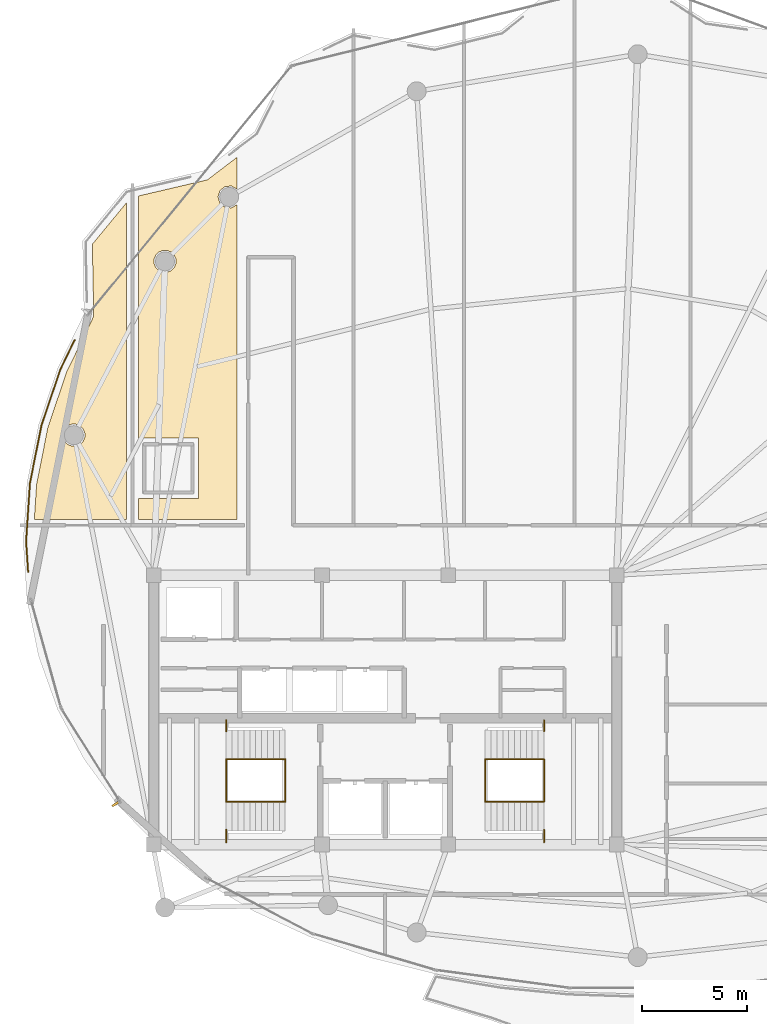
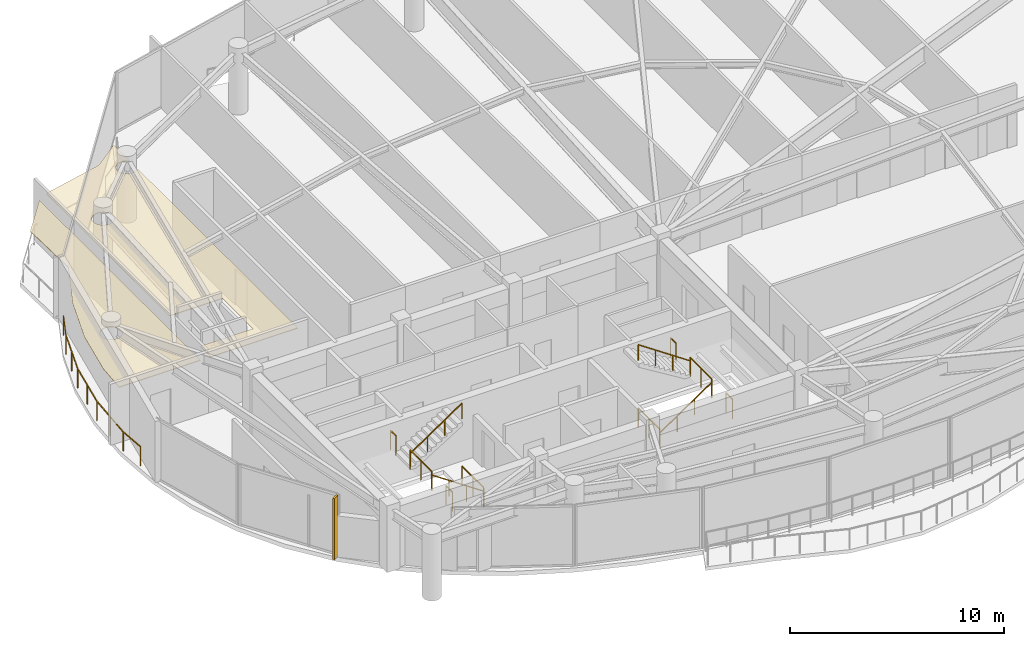
# One storey, part 27 of 29: 13 railings, 2 coverings, 1 shading device.
"""IFC4 building model written with IfcOpenShell, lengths in metres."""

from ifc_helpers import new_model, si_unit, direction, frame, origin, origin_2d, place, context, subcontext, project, spatial, polyline, rectangle, outline, extrude, material, layer, layer_set, type_object, element, save


model = new_model("IFC4")

# Units and contexts
model_context = context("Model", 3, precision=1e-05, world=origin(), true_north=direction((0.0, 1.0)))
body_context = subcontext(model_context, "Body", "Model", "MODEL_VIEW")
ifc_project = project(units=[si_unit("LENGTHUNIT", "METRE"), si_unit("AREAUNIT", "SQUARE_METRE"), si_unit("VOLUMEUNIT", "CUBIC_METRE"), si_unit("PLANEANGLEUNIT", "RADIAN"), si_unit("MASSUNIT", "GRAM", prefix="KILO")], contexts=[model_context])

# Site, building, storey
site_placement = place(None, origin())
site = spatial("IfcSite", under=ifc_project, at=site_placement, CompositionType="ELEMENT")
building_placement = place(site_placement, origin())
building = spatial("IfcBuilding", under=site, at=building_placement, Name="Kazevale Care Tower and Concert Hall", CompositionType="ELEMENT")
storey_placement = place(building_placement, frame((0.0, 0.0, 289.0)))
storey = spatial("IfcBuildingStorey", under=building, at=storey_placement, Name="L76", CompositionType="ELEMENT", Elevation=289.0)

# Coverings
ifc_material_1 = material(Name="Acoustic Plaster and Hinoki Wood", Category="wood")
ifc_layer = layer(ifc_material_1, 0.0400390625)
ifc_layer_set = layer_set([ifc_layer], Name="Acoustic Plaster and Hinoki Wood")
covering_type = type_object("IfcCoveringType", Name="Acoustic Perforated Wood-Gypsum Ceiling", PredefinedType="CEILING", material=ifc_layer_set)
covering_1_placement = place(storey_placement, frame((0.0, 0.0, 2.830078125)))
element("IfcCovering", 1, at=covering_1_placement, inside=storey, type_object=covering_type, Name="clg:L76:1", PredefinedType="CEILING", context=body_context, shape_type="SweptSolid", body=[
    extrude(outline(polyline([(16.97705078125, 43.422119140625), (17.864990234375, 46.049072265625), (19.154052734375, 48.701904296875), (19.087890625, 52.1240234375), (20.719970703125, 54.10693359375), (20.719970703125, 39.054931640625), (16.330078125, 39.054931640625), (16.44091796875, 40.72802734375), (16.97705078125, 43.422119140625)]), holes=[polyline([(18.72998046875, 43.153076171875), (18.65087890625, 43.343994140625), (18.50390625, 43.490966796875), (18.31298828125, 43.570068359375), (18.10693359375, 43.570068359375), (17.916015625, 43.490966796875), (17.76904296875, 43.343994140625), (17.68994140625, 43.153076171875), (17.68994140625, 42.947021484375), (17.76904296875, 42.756103515625), (17.916015625, 42.60888671875), (18.10693359375, 42.530029296875), (18.31298828125, 42.530029296875), (18.50390625, 42.60888671875), (18.65087890625, 42.756103515625), (18.72998046875, 42.947021484375), (18.72998046875, 43.153076171875)])]), origin(), (0.0, 0.0, 1.0), 0.0400390625),
])
covering_2_placement = place(storey_placement, frame((0.0, 0.0, 2.830078125)))
element("IfcCovering", 2, at=covering_2_placement, inside=storey, type_object=covering_type, Name="clg:L76:2", PredefinedType="CEILING", context=body_context, shape_type="SweptSolid", body=[
    extrude(outline(polyline([(24.1298828125, 42.905029296875), (21.280029296875, 42.905029296875), (21.280029296875, 54.4169921875), (24.552978515625, 55.180908203125), (25.969970703125, 56.260986328125), (25.969970703125, 54.738037109375), (25.693115234375, 54.889892578125), (25.386962890625, 54.860107421875), (25.14892578125, 54.6640625), (25.06005859375, 54.3701171875), (25.14892578125, 54.075927734375), (25.386962890625, 53.8798828125), (25.693115234375, 53.85009765625), (25.969970703125, 54.001953125), (25.969970703125, 39.054931640625), (21.280029296875, 39.054931640625), (21.280029296875, 40.044921875), (24.1298828125, 40.044921875), (24.1298828125, 42.905029296875)]), holes=[polyline([(23.06005859375, 51.4130859375), (22.98095703125, 51.60400390625), (22.833984375, 51.7509765625), (22.64306640625, 51.830078125), (22.43701171875, 51.830078125), (22.24609375, 51.7509765625), (22.09912109375, 51.60400390625), (22.02001953125, 51.4130859375), (22.02001953125, 51.20703125), (22.09912109375, 51.01611328125), (22.24609375, 50.868896484375), (22.43701171875, 50.7900390625), (22.64306640625, 50.7900390625), (22.833984375, 50.868896484375), (22.98095703125, 51.01611328125), (23.06005859375, 51.20703125), (23.06005859375, 51.4130859375)])]), origin(), (0.0, 0.0, 1.0), 0.0400390625),
])

# Railings
ifc_material_2 = material(Name="Anodised Bronze Aluminium and Laminated Glass", Category="aluminium")
railing_type_1 = type_object("IfcRailingType", Name="Balcony and Terrace Balustrade 1120", PredefinedType="BALUSTRADE", material=ifc_material_2)
railing_1_placement = place(storey_placement, frame((16.035888671875, 36.556884765625, 0.0)))
element("IfcRailing", 3, at=railing_1_placement, inside=storey, type_object=railing_type_1, Name="rail:L76:perim:1", PredefinedType="BALUSTRADE", context=body_context, shape_type="SweptSolid", body=[
    extrude(rectangle(XDim=0.048095703125, YDim=0.048095703125, at=origin_2d()), frame((0.0, 0.0, 1.09619140625), z_axis=(-0.066339749167, 0.997797092439, 0.0), x_axis=(-0.997797092439, -0.066339749167, 0.0)), (0.0, 0.0, 1.0), 1.4462890625),
    extrude(rectangle(XDim=0.048095703125, YDim=0.048095703125, at=origin_2d()), frame((-0.095947265625, 1.443115234375, 1.09619140625), z_axis=(0.065958643417, 0.997822357616, 0.0), x_axis=(-0.997822357616, 0.065958643417, 0.0)), (0.0, 0.0, 1.0), 2.776123046875),
    extrude(rectangle(XDim=0.048095703125, YDim=0.048095703125, at=origin_2d()), frame((0.087158203125, 4.213134765625, 1.09619140625), z_axis=(0.195408959087, 0.980721845738, 0.0), x_axis=(-0.980721845738, 0.195408959087, 0.0)), (0.0, 0.0, 1.0), 2.78857421875),
    extrude(rectangle(XDim=0.048095703125, YDim=0.048095703125, at=origin_2d()), frame((0.632080078125, 6.947998046875, 1.09619140625), z_axis=(0.31989547797, 0.947452839552, 0.0), x_axis=(-0.947452839552, 0.31989547797, 0.0)), (0.0, 0.0, 1.0), 2.81396484375),
    extrude(rectangle(XDim=0.048095703125, YDim=0.048095703125, at=origin_2d()), frame((1.5322265625, 9.614013671875, 1.09619140625), z_axis=(0.436955052618, 0.899483341698, 0.0), x_axis=(-0.899483341698, 0.436955052618, 0.0)), (0.0, 0.0, 1.0), 1.546630859375),
    extrude(rectangle(XDim=0.0419921875, YDim=0.0419921875, at=origin_2d()), origin(), (0.0, 0.0, 1.0), 1.072021484375),
    extrude(rectangle(XDim=0.0419921875, YDim=0.0419921875, at=origin_2d()), frame((-0.095947265625, 1.443115234375, 0.0)), (0.0, 0.0, 1.0), 1.072021484375),
    extrude(rectangle(XDim=0.0419921875, YDim=0.0419921875, at=origin_2d()), frame((-0.00439453125, 2.828125, 0.0)), (0.0, 0.0, 1.0), 1.072021484375),
    extrude(rectangle(XDim=0.0419921875, YDim=0.0419921875, at=origin_2d()), frame((0.087158203125, 4.213134765625, 0.0)), (0.0, 0.0, 1.0), 1.072021484375),
    extrude(rectangle(XDim=0.0419921875, YDim=0.0419921875, at=origin_2d()), frame((0.359619140625, 5.58056640625, 0.0)), (0.0, 0.0, 1.0), 1.072021484375),
    extrude(rectangle(XDim=0.0419921875, YDim=0.0419921875, at=origin_2d()), frame((0.632080078125, 6.947998046875, 0.0)), (0.0, 0.0, 1.0), 1.072021484375),
    extrude(rectangle(XDim=0.0419921875, YDim=0.0419921875, at=origin_2d()), frame((1.08203125, 8.281005859375, 0.0)), (0.0, 0.0, 1.0), 1.072021484375),
    extrude(rectangle(XDim=0.0419921875, YDim=0.0419921875, at=origin_2d()), frame((1.5322265625, 9.614013671875, 0.0)), (0.0, 0.0, 1.0), 1.072021484375),
    extrude(rectangle(XDim=0.0419921875, YDim=0.0419921875, at=origin_2d()), frame((2.2080078125, 11.005126953125, 0.0)), (0.0, 0.0, 1.0), 1.072021484375),
])
ifc_material_3 = material(Name="Stainless Steel 316", Category="steel")
railing_type_2 = type_object("IfcRailingType", Name="Stair Pitch Handrail 920", PredefinedType="HANDRAIL", material=ifc_material_3)
railing_2_placement = place(storey_placement, frame((28.25, 25.639892578125, 0.0)))
element("IfcRailing", 4, at=railing_2_placement, inside=storey, type_object=railing_type_2, Name="stair:L76:ST1:hr1", PredefinedType="HANDRAIL", context=body_context, shape_type="SweptSolid", body=[
    extrude(rectangle(XDim=0.048095703125, YDim=0.048095703125, at=origin_2d()), frame((0.0, 0.0, 0.89599609375), z_axis=(-0.827493732819, 0.0, 0.561474952376), x_axis=(0.0, -1.0, 0.0)), (0.0, 0.0, 1.0), 3.3837890625),
    extrude(rectangle(XDim=0.0419921875, YDim=0.0419921875, at=origin_2d()), origin(), (0.0, 0.0, 1.0), 0.871826171875),
    extrude(rectangle(XDim=0.0419921875, YDim=0.0419921875, at=origin_2d()), frame((-0.933349609375, 0.0, 0.63330078125)), (0.0, 0.0, 1.0), 0.871826171875),
    extrude(rectangle(XDim=0.0419921875, YDim=0.0419921875, at=origin_2d()), frame((-1.86669921875, 0.0, 1.2666015625)), (0.0, 0.0, 1.0), 0.871826171875),
    extrude(rectangle(XDim=0.0419921875, YDim=0.0419921875, at=origin_2d()), frame((-2.800048828125, 0.0, 1.89990234375)), (0.0, 0.0, 1.0), 0.871826171875),
])
railing_3_placement = place(storey_placement, frame((25.449951171875, 27.659912109375, 1.89990234375)))
element("IfcRailing", 5, at=railing_3_placement, inside=storey, type_object=railing_type_2, Name="stair:L76:ST1:hr2", PredefinedType="HANDRAIL", context=body_context, shape_type="SweptSolid", body=[
    extrude(rectangle(XDim=0.048095703125, YDim=0.048095703125, at=origin_2d()), frame((0.0, 0.0, 0.89599609375), z_axis=(0.827460210367, 0.0, 0.56152435411), x_axis=(0.0, 1.0, 0.0)), (0.0, 0.0, 1.0), 3.3837890625),
    extrude(rectangle(XDim=0.0419921875, YDim=0.0419921875, at=origin_2d()), origin(), (0.0, 0.0, 1.0), 0.871826171875),
    extrude(rectangle(XDim=0.0419921875, YDim=0.0419921875, at=origin_2d()), frame((0.933349609375, 0.0, 0.63330078125)), (0.0, 0.0, 1.0), 0.871826171875),
    extrude(rectangle(XDim=0.0419921875, YDim=0.0419921875, at=origin_2d()), frame((1.86669921875, 0.0, 1.266845703125)), (0.0, 0.0, 1.0), 0.871826171875),
    extrude(rectangle(XDim=0.0419921875, YDim=0.0419921875, at=origin_2d()), frame((2.800048828125, 0.0, 1.900146484375)), (0.0, 0.0, 1.0), 0.871826171875),
])
railing_4_placement = place(storey_placement, frame((37.75, 25.639892578125, 0.0)))
element("IfcRailing", 6, at=railing_4_placement, inside=storey, type_object=railing_type_2, Name="stair:L76:ST2:hr1", PredefinedType="HANDRAIL", context=body_context, shape_type="SweptSolid", body=[
    extrude(rectangle(XDim=0.048095703125, YDim=0.048095703125, at=origin_2d()), frame((0.0, 0.0, 0.89599609375), z_axis=(0.827493732819, 0.0, 0.561474952376), x_axis=(0.0, 1.0, 0.0)), (0.0, 0.0, 1.0), 3.3837890625),
    extrude(rectangle(XDim=0.0419921875, YDim=0.0419921875, at=origin_2d()), origin(), (0.0, 0.0, 1.0), 0.871826171875),
    extrude(rectangle(XDim=0.0419921875, YDim=0.0419921875, at=origin_2d()), frame((0.933349609375, 0.0, 0.63330078125)), (0.0, 0.0, 1.0), 0.871826171875),
    extrude(rectangle(XDim=0.0419921875, YDim=0.0419921875, at=origin_2d()), frame((1.86669921875, 0.0, 1.2666015625)), (0.0, 0.0, 1.0), 0.871826171875),
    extrude(rectangle(XDim=0.0419921875, YDim=0.0419921875, at=origin_2d()), frame((2.800048828125, 0.0, 1.89990234375)), (0.0, 0.0, 1.0), 0.871826171875),
])
railing_5_placement = place(storey_placement, frame((40.550048828125, 27.659912109375, 1.89990234375)))
element("IfcRailing", 7, at=railing_5_placement, inside=storey, type_object=railing_type_2, Name="stair:L76:ST2:hr2", PredefinedType="HANDRAIL", context=body_context, shape_type="SweptSolid", body=[
    extrude(rectangle(XDim=0.048095703125, YDim=0.048095703125, at=origin_2d()), frame((0.0, 0.0, 0.89599609375), z_axis=(-0.827460210367, 0.0, 0.56152435411), x_axis=(0.0, -1.0, 0.0)), (0.0, 0.0, 1.0), 3.3837890625),
    extrude(rectangle(XDim=0.0419921875, YDim=0.0419921875, at=origin_2d()), origin(), (0.0, 0.0, 1.0), 0.871826171875),
    extrude(rectangle(XDim=0.0419921875, YDim=0.0419921875, at=origin_2d()), frame((-0.933349609375, 0.0, 0.63330078125)), (0.0, 0.0, 1.0), 0.871826171875),
    extrude(rectangle(XDim=0.0419921875, YDim=0.0419921875, at=origin_2d()), frame((-1.86669921875, 0.0, 1.266845703125)), (0.0, 0.0, 1.0), 0.871826171875),
    extrude(rectangle(XDim=0.0419921875, YDim=0.0419921875, at=origin_2d()), frame((-2.800048828125, 0.0, 1.900146484375)), (0.0, 0.0, 1.0), 0.871826171875),
])
railing_type_3 = type_object("IfcRailingType", Name="Stair Well Guard Balustrade 1120", PredefinedType="BALUSTRADE", material=ifc_material_3)
railing_6_placement = place(storey_placement, frame((25.449951171875, 23.699951171875, 1.89990234375)))
element("IfcRailing", 8, at=railing_6_placement, inside=storey, type_object=railing_type_3, Name="stair:L76:ST1:grd_side1", PredefinedType="BALUSTRADE", context=body_context, shape_type="SweptSolid", body=[
    extrude(rectangle(XDim=0.048095703125, YDim=0.048095703125, at=origin_2d()), frame((0.0, 0.0, 1.09619140625), z_axis=(0.0, 1.0, 0.0), x_axis=(-1.0, 0.0, 0.0)), (0.0, 0.0, 1.0), 0.610107421875),
    extrude(rectangle(XDim=0.0419921875, YDim=0.0419921875, at=origin_2d()), origin(), (0.0, 0.0, 1.0), 1.072021484375),
    extrude(rectangle(XDim=0.0419921875, YDim=0.0419921875, at=origin_2d()), frame((0.0, 0.610107421875, 0.0)), (0.0, 0.0, 1.0), 1.072021484375),
])
railing_7_placement = place(storey_placement, frame((25.449951171875, 28.989990234375, 1.89990234375)))
element("IfcRailing", 9, at=railing_7_placement, inside=storey, type_object=railing_type_3, Name="stair:L76:ST1:grd_side2", PredefinedType="BALUSTRADE", context=body_context, shape_type="SweptSolid", body=[
    extrude(rectangle(XDim=0.048095703125, YDim=0.048095703125, at=origin_2d()), frame((0.0, 0.0, 1.09619140625), z_axis=(0.0, 1.0, 0.0), x_axis=(-1.0, 0.0, 0.0)), (0.0, 0.0, 1.0), 0.510009765625),
    extrude(rectangle(XDim=0.0419921875, YDim=0.0419921875, at=origin_2d()), origin(), (0.0, 0.0, 1.0), 1.072021484375),
    extrude(rectangle(XDim=0.0419921875, YDim=0.0419921875, at=origin_2d()), frame((0.0, 0.510009765625, 0.0)), (0.0, 0.0, 1.0), 1.072021484375),
])
for number, where, name in (
    (10, (25.449951171875, 25.639892578125, 1.89990234375), "stair:L76:ST1:grd_mid"),
    (11, (28.25, 25.639892578125, 0.0), "stair:L76:ST1:grd_flr"),
):
    element("IfcRailing", number, at=place(storey_placement, frame(where)), inside=storey, type_object=railing_type_3, Name=name, PredefinedType="BALUSTRADE", context=body_context, shape_type="SweptSolid", body=[
        extrude(rectangle(XDim=0.048095703125, YDim=0.048095703125, at=origin_2d()), frame((0.0, 0.0, 1.09619140625), z_axis=(0.0, 1.0, 0.0), x_axis=(-1.0, 0.0, 0.0)), (0.0, 0.0, 1.0), 2.02001953125),
        extrude(rectangle(XDim=0.0419921875, YDim=0.0419921875, at=origin_2d()), origin(), (0.0, 0.0, 1.0), 1.072021484375),
        extrude(rectangle(XDim=0.0419921875, YDim=0.0419921875, at=origin_2d()), frame((0.0, 1.010009765625, 0.0)), (0.0, 0.0, 1.0), 1.072021484375),
        extrude(rectangle(XDim=0.0419921875, YDim=0.0419921875, at=origin_2d()), frame((0.0, 2.02001953125, 0.0)), (0.0, 0.0, 1.0), 1.072021484375),
    ])
railing_8_placement = place(storey_placement, frame((40.550048828125, 23.699951171875, 1.89990234375)))
element("IfcRailing", 12, at=railing_8_placement, inside=storey, type_object=railing_type_3, Name="stair:L76:ST2:grd_side1", PredefinedType="BALUSTRADE", context=body_context, shape_type="SweptSolid", body=[
    extrude(rectangle(XDim=0.048095703125, YDim=0.048095703125, at=origin_2d()), frame((0.0, 0.0, 1.09619140625), z_axis=(0.0, 1.0, 0.0), x_axis=(-1.0, 0.0, 0.0)), (0.0, 0.0, 1.0), 0.610107421875),
    extrude(rectangle(XDim=0.0419921875, YDim=0.0419921875, at=origin_2d()), origin(), (0.0, 0.0, 1.0), 1.072021484375),
    extrude(rectangle(XDim=0.0419921875, YDim=0.0419921875, at=origin_2d()), frame((0.0, 0.610107421875, 0.0)), (0.0, 0.0, 1.0), 1.072021484375),
])
railing_9_placement = place(storey_placement, frame((40.550048828125, 28.989990234375, 1.89990234375)))
element("IfcRailing", 13, at=railing_9_placement, inside=storey, type_object=railing_type_3, Name="stair:L76:ST2:grd_side2", PredefinedType="BALUSTRADE", context=body_context, shape_type="SweptSolid", body=[
    extrude(rectangle(XDim=0.048095703125, YDim=0.048095703125, at=origin_2d()), frame((0.0, 0.0, 1.09619140625), z_axis=(0.0, 1.0, 0.0), x_axis=(-1.0, 0.0, 0.0)), (0.0, 0.0, 1.0), 0.510009765625),
    extrude(rectangle(XDim=0.0419921875, YDim=0.0419921875, at=origin_2d()), origin(), (0.0, 0.0, 1.0), 1.072021484375),
    extrude(rectangle(XDim=0.0419921875, YDim=0.0419921875, at=origin_2d()), frame((0.0, 0.510009765625, 0.0)), (0.0, 0.0, 1.0), 1.072021484375),
])
for number, where, name in (
    (14, (40.550048828125, 25.639892578125, 1.89990234375), "stair:L76:ST2:grd_mid"),
    (15, (37.75, 25.639892578125, 0.0), "stair:L76:ST2:grd_flr"),
):
    element("IfcRailing", number, at=place(storey_placement, frame(where)), inside=storey, type_object=railing_type_3, Name=name, PredefinedType="BALUSTRADE", context=body_context, shape_type="SweptSolid", body=[
        extrude(rectangle(XDim=0.048095703125, YDim=0.048095703125, at=origin_2d()), frame((0.0, 0.0, 1.09619140625), z_axis=(0.0, 1.0, 0.0), x_axis=(-1.0, 0.0, 0.0)), (0.0, 0.0, 1.0), 2.02001953125),
        extrude(rectangle(XDim=0.0419921875, YDim=0.0419921875, at=origin_2d()), origin(), (0.0, 0.0, 1.0), 1.072021484375),
        extrude(rectangle(XDim=0.0419921875, YDim=0.0419921875, at=origin_2d()), frame((0.0, 1.010009765625, 0.0)), (0.0, 0.0, 1.0), 1.072021484375),
        extrude(rectangle(XDim=0.0419921875, YDim=0.0419921875, at=origin_2d()), frame((0.0, 2.02001953125, 0.0)), (0.0, 0.0, 1.0), 1.072021484375),
    ])

# Shading device
ifc_material_4 = material(Name="Anodised Bronze Aluminium", Category="aluminium")
shading_device_type = type_object("IfcShadingDeviceType", Name="Waist Anodised Bronze-Stone Fin FIN-02", PredefinedType="USERDEFINED", material=ifc_material_4)
shading_device_placement = place(storey_placement, frame((20.175048828125, 25.5146484375, 0.0), z_axis=(0.0, 0.0, 1.0), x_axis=(-0.846657866138, -0.532137630417, 0.0)))
element("IfcShadingDevice", 16, at=shading_device_placement, inside=storey, type_object=shading_device_type, Name="cw:L76:f11:fin", ObjectType="FIN", PredefinedType="USERDEFINED", context=body_context, shape_type="SweptSolid", body=[
    extrude(rectangle(XDim=0.340087890625, YDim=0.10009765625, at=origin_2d()), origin(), (0.0, 0.0, 1.0), 3.47998046875),
])

save(model, "model.ifc")
